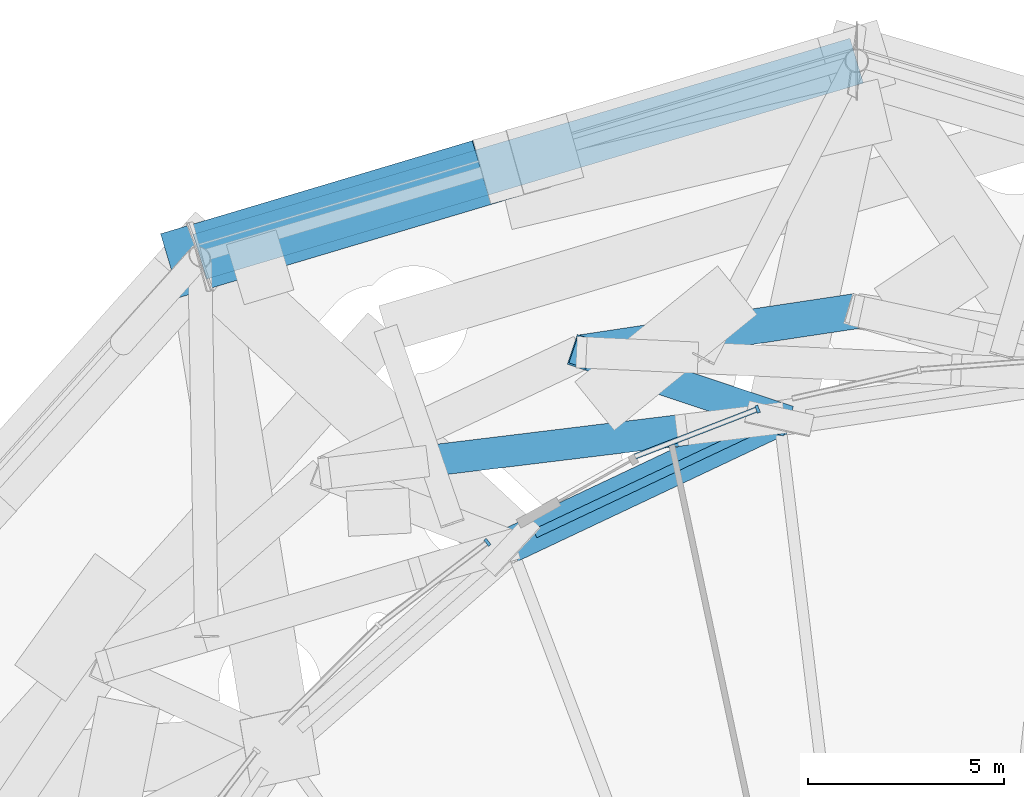
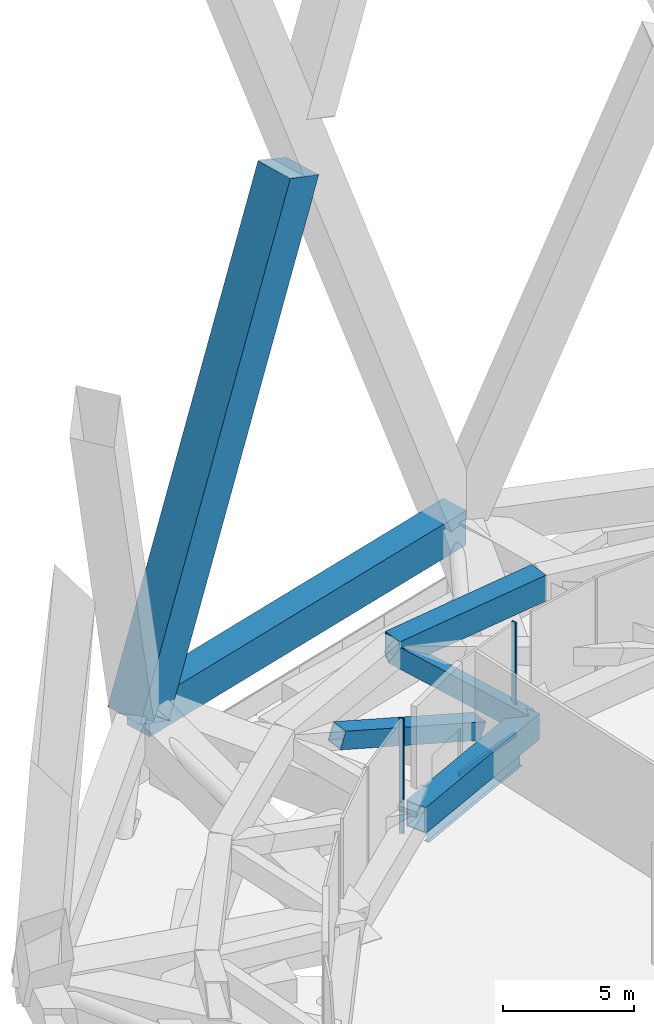
# One storey, part 32 of 51: 5 beams, 5 members, 2 elements without a shape of their own.
"""IFC4 building model written with IfcOpenShell, lengths in metres."""

import ifcopenshell
import ifcopenshell.guid

model = None  # the IFC model being written
_history = None  # IfcOwnerHistory: only IFC2X3 demands one
_inside = {}  # id of a spatial element -> (the spatial element, [elements in it])
_under = {}  # id of a project, library or spatial element -> (it, [spatial elements below it])
_declared = {}  # id of a project -> (the project, [libraries it declares])
_typed = {}  # id of a type object -> (the type object, [elements of that type])
_made_of = {}  # id of a material, layer set ... -> (it, [elements and type objects made of it])


def new_model(schema):
    """Start an empty IFC model of exactly this schema.

    Asked for "IFC4X3", IfcOpenShell would pick the latest addendum, in which some entities
    have other attributes; the version numbers below select the first issue.
    IFC2X3 requires an IfcOwnerHistory on every rooted entity: one is made here for all.
    """
    global model, _history
    if schema == "IFC4X3":
        model = ifcopenshell.file(schema_version=(4, 3, 0, 0))
    else:
        model = ifcopenshell.file(schema=schema)
    _inside.clear()
    _under.clear()
    _declared.clear()
    _typed.clear()
    _made_of.clear()
    _history = None
    if model.schema == "IFC2X3":
        org = make("IfcOrganization", Name="unknown")
        user = make(
            "IfcPersonAndOrganization",
            ThePerson=make("IfcPerson", FamilyName="unknown"),
            TheOrganization=org,
        )
        app = make(
            "IfcApplication",
            ApplicationDeveloper=org,
            Version="unknown",
            ApplicationFullName="unknown",
            ApplicationIdentifier="unknown",
        )
        _history = make(
            "IfcOwnerHistory",
            OwningUser=user,
            OwningApplication=app,
            ChangeAction="ADDED",
            CreationDate=0,
        )
    return model


def make(cls, **values):
    """One entity of the class cls with the attributes given. An attribute that is None is left unset."""
    return model.create_entity(
        cls, **{name: value for name, value in values.items() if value is not None}
    )


def rooted(cls, **values):
    """An entity with a GlobalId (a new one), such as an element, a storey or a relation."""
    return make(cls, GlobalId=ifcopenshell.guid.new(), OwnerHistory=_history, **values)


def si_unit(unit_type, name, prefix=None):
    """IfcSIUnit, for example si_unit("LENGTHUNIT", "METRE", prefix="MILLI")."""
    return make("IfcSIUnit", UnitType=unit_type, Prefix=prefix, Name=name)


def assignment(units):
    """IfcUnitAssignment: the units of a project."""
    return None if units is None else make("IfcUnitAssignment", Units=units)


def point(xyz):
    """IfcCartesianPoint."""
    return None if xyz is None else make("IfcCartesianPoint", Coordinates=xyz)


def direction(xyz):
    """IfcDirection."""
    return None if xyz is None else make("IfcDirection", DirectionRatios=xyz)


def frame(location, z_axis=None, x_axis=None):
    """IfcAxis2Placement3D, a coordinate frame: its origin and axes. An axis left out is left unset."""
    return make(
        "IfcAxis2Placement3D",
        Location=point(location),
        Axis=direction(z_axis),
        RefDirection=direction(x_axis),
    )


def frame_2d(location, x_axis=None):
    """IfcAxis2Placement2D, a coordinate frame in the plane: its origin and x axis."""
    return make(
        "IfcAxis2Placement2D", Location=point(location), RefDirection=direction(x_axis)
    )


def origin():
    """The frame at (0, 0, 0) with its axes left unset."""
    return frame((0.0, 0.0, 0.0))


def origin_2d():
    """The frame at (0, 0) in the plane with its x axis left unset."""
    return frame_2d((0.0, 0.0))


def place(relative_to, where):
    """IfcLocalPlacement: puts the frame where relative to a parent placement (None: the world)."""
    return make(
        "IfcLocalPlacement", PlacementRelTo=relative_to, RelativePlacement=where
    )


def context(
    kind, dimensions, precision=None, world=None, true_north=None, identifier=None
):
    """IfcGeometricRepresentationContext, for example the 3D "Model" context."""
    return make(
        "IfcGeometricRepresentationContext",
        ContextIdentifier=identifier,
        ContextType=kind,
        CoordinateSpaceDimension=dimensions,
        Precision=precision,
        WorldCoordinateSystem=world,
        TrueNorth=true_north,
    )


def subcontext(parent, identifier, kind, view, scale=None):
    """IfcGeometricRepresentationSubContext, for example "Body" below "Model"."""
    return make(
        "IfcGeometricRepresentationSubContext",
        ContextIdentifier=identifier,
        ContextType=kind,
        ParentContext=parent,
        TargetScale=scale,
        TargetView=view,
    )


def project(units=None, contexts=None):
    """IfcProject with its units and contexts."""
    return rooted(
        "IfcProject",
        Name="project",
        RepresentationContexts=contexts,
        UnitsInContext=assignment(units),
    )


def spatial(cls, under=None, at=None, **own):
    """A site, building, storey or space (cls), placed at a placement, below another one or the project."""
    s = rooted(cls, ObjectPlacement=at, **own)
    if under is not None:
        _under.setdefault(under.id(), (under, []))[1].append(s)
    return s


def profile(cls, at=None, kind="AREA", **sizes):
    """A parametric profile (cls). Its sizes go by their IFC names, for example OverallWidth=200.0."""
    return make(cls, ProfileType=kind, Position=at, **sizes)


def rectangle(**sizes):
    """IfcRectangleProfileDef."""
    return profile("IfcRectangleProfileDef", **sizes)


def hollow_rectangle(**sizes):
    """IfcRectangleHollowProfileDef."""
    return profile("IfcRectangleHollowProfileDef", **sizes)


def i_section(**sizes):
    """IfcIShapeProfileDef."""
    return profile("IfcIShapeProfileDef", **sizes)


def extrude(swept, where, along, depth):
    """IfcExtrudedAreaSolid: the profile swept, set in the frame where, extruded along a direction by depth."""
    return make(
        "IfcExtrudedAreaSolid",
        SweptArea=swept,
        Position=where,
        ExtrudedDirection=direction(along),
        Depth=depth,
    )


def shape(context_of_items, identifier, shape_type, items):
    """IfcShapeRepresentation: the items that make up one representation, for example the "Body"."""
    return make(
        "IfcShapeRepresentation",
        ContextOfItems=context_of_items,
        RepresentationIdentifier=identifier,
        RepresentationType=shape_type,
        Items=items,
    )


def material(Name=None, Category=None):
    """IfcMaterial."""
    return make("IfcMaterial", Name=Name, Category=Category)


def layer(
    of_material, thickness, ventilated=None, Name=None, Category=None, Priority=None
):
    """IfcMaterialLayer: one layer of a wall or slab, of a material (None: an air gap)."""
    return make(
        "IfcMaterialLayer",
        Material=of_material,
        LayerThickness=thickness,
        IsVentilated=ventilated,
        Name=Name,
        Category=Category,
        Priority=Priority,
    )


def layer_set(layers, Name=None):
    """IfcMaterialLayerSet."""
    return make("IfcMaterialLayerSet", MaterialLayers=layers, LayerSetName=Name)


def material_profile(
    of_material, cross_section, Name=None, Category=None, Priority=None
):
    """IfcMaterialProfile: a cross section and its material."""
    return make(
        "IfcMaterialProfile",
        Name=Name,
        Material=of_material,
        Profile=cross_section,
        Priority=Priority,
        Category=Category,
    )


def profile_set(profiles, Name=None, composite=None):
    """IfcMaterialProfileSet."""
    return make(
        "IfcMaterialProfileSet",
        Name=Name,
        MaterialProfiles=profiles,
        CompositeProfile=composite,
    )


def made_of(thing, what):
    """Note that an element or type object is made of a material, layer set ...; save() writes the relation."""
    if what is not None:
        _made_of.setdefault(what.id(), (what, []))[1].append(thing)
    return thing


def type_object(cls, material=None, **own):
    """A type object (cls), such as IfcWallType, which elements share."""
    return made_of(rooted(cls, **own), material)


def element(
    cls,
    number,
    at=None,
    inside=None,
    cuts=None,
    type_object=None,
    material=None,
    context=None,
    identifier="Body",
    shape_type=None,
    held_by="IfcProductDefinitionShape",
    body=None,
    shapes=None,
    **own,
):
    """One element of the class cls, such as IfcWall. Its Tag is "e" and its number.

    at: its placement. inside: the storey or other place that contains it. cuts: it is an
    opening in that element (IfcRelVoidsElement). A single representation is given by context,
    identifier, shape_type and body (its items); several are given by shapes. held_by: the class
    of the entity that holds the representations. save() writes the other relations.
    """
    e = rooted(cls, Tag="e%d" % number, ObjectPlacement=at, **own)
    if body is not None:
        shapes = [shape(context, identifier, shape_type, body)]
    if shapes is not None:
        e.Representation = make(held_by, Representations=shapes)
    if inside is not None:
        _inside.setdefault(inside.id(), (inside, []))[1].append(e)
    if cuts is not None:
        rooted(
            "IfcRelVoidsElement", RelatingBuildingElement=cuts, RelatedOpeningElement=e
        )
    if type_object is not None:
        _typed.setdefault(type_object.id(), (type_object, []))[1].append(e)
    return made_of(e, material)


def aggregate(whole, parts):
    """IfcRelAggregates: a whole, such as a stair, and the parts it consists of."""
    return rooted("IfcRelAggregates", RelatingObject=whole, RelatedObjects=parts)


def save(model, path):
    """Write the relations noted so far, then the file.

    IfcRelAggregates (storeys below a building ...), IfcRelContainedInSpatialStructure (elements
    in a storey), IfcRelDefinesByType, IfcRelAssociatesMaterial and IfcRelDeclares: one each for
    every whole, place, type object, material and project.
    """
    for whole, parts in _under.values():
        aggregate(whole, parts)
    for where, things in _inside.values():
        rooted(
            "IfcRelContainedInSpatialStructure",
            RelatedElements=things,
            RelatingStructure=where,
        )
    for kind, things in _typed.values():
        rooted("IfcRelDefinesByType", RelatedObjects=things, RelatingType=kind)
    for what, things in _made_of.values():
        rooted("IfcRelAssociatesMaterial", RelatedObjects=things, RelatingMaterial=what)
    for by, libraries in _declared.values():
        rooted("IfcRelDeclares", RelatingContext=by, RelatedDefinitions=libraries)
    model.write(path)


model = new_model("IFC4")

# Units and contexts
model_context = context("Model", 3, precision=1e-05, world=origin(), true_north=direction((0.0, 1.0)))
body_context = subcontext(model_context, "Body", "Model", "MODEL_VIEW")
ifc_project = project(units=[si_unit("LENGTHUNIT", "METRE"), si_unit("AREAUNIT", "SQUARE_METRE"), si_unit("VOLUMEUNIT", "CUBIC_METRE"), si_unit("PLANEANGLEUNIT", "RADIAN"), si_unit("MASSUNIT", "GRAM", prefix="KILO")], contexts=[model_context])

# Site, building, storey
site_placement = place(None, origin())
site = spatial("IfcSite", under=ifc_project, at=site_placement, CompositionType="ELEMENT")
building_placement = place(site_placement, origin())
building = spatial("IfcBuilding", under=site, at=building_placement, Name="Nagisa Residences", CompositionType="ELEMENT")
storey_placement = place(building_placement, frame((0.0, 0.0, 67.699951171875)))
storey = spatial("IfcBuildingStorey", under=building, at=storey_placement, Name="L16", CompositionType="ELEMENT", Elevation=67.699951171875)

# Beams
ifc_material_1 = material(Name="Steel ASTM A572 Gr 50", Category="steel")
ifc_material_profile_1 = material_profile(ifc_material_1, hollow_rectangle(XDim=0.89990234375, YDim=1.199951171875, WallThickness=0.050048828125, at=origin_2d()), Name="BX 900x1200x50")
ifc_profile_set_1 = profile_set([ifc_material_profile_1], Name="Steel ASTM A572 Gr 50")
beam_type_1 = type_object("IfcBeamType", Name="Belt chord 1 BX 900x1200x50", PredefinedType="BEAM", material=ifc_profile_set_1)
beam_1_placement = place(storey_placement, frame((-1.800048828125, 34.1328125, 4.739990234375), z_axis=(-0.988913697291, -0.14849141157, 0.0), x_axis=(0.14849141157, -0.988913697291, 0.0)))
element("IfcBeam", 1, at=beam_1_placement, inside=storey, type_object=beam_type_1, Name="beam:L16:bt1t07", PredefinedType="BEAM", context=body_context, shape_type="SweptSolid", body=[
    extrude(hollow_rectangle(XDim=0.89990234375, YDim=1.199951171875, WallThickness=0.050048828125, at=origin_2d()), origin(), (0.0, 0.0, 1.0), 7.117431640625),
])
beam_2_placement = place(storey_placement, frame((-3.7763671875, 31.392578125, 0.60009765625), z_axis=(-0.904198348798, -0.427112802467, 0.0), x_axis=(0.427112802467, -0.904198348798, 0.0)))
element("IfcBeam", 2, at=beam_2_placement, inside=storey, type_object=beam_type_1, Name="beam:L16:bt1b08", PredefinedType="BEAM", context=body_context, shape_type="SweptSolid", body=[
    extrude(hollow_rectangle(XDim=0.89990234375, YDim=1.199951171875, WallThickness=0.050048828125, at=origin_2d()), origin(), (0.0, 0.0, 1.0), 7.601806640625),
])
ifc_material_2 = material(Name="Steel ASTM A572 Gr 50", Category="steel")
ifc_material_profile_2 = material_profile(ifc_material_2, hollow_rectangle(XDim=0.800048828125, YDim=0.800048828125, WallThickness=0.044921875, at=origin_2d()), Name="BX 800x800x45")
ifc_profile_set_2 = profile_set([ifc_material_profile_2], Name="Steel ASTM A572 Gr 50")
beam_type_2 = type_object("IfcBeamType", Name="Belt diagonal 1 BX 800x800x45", PredefinedType="BEAM", material=ifc_profile_set_2)
beam_3_placement = place(storey_placement, frame((-3.7763671875, 31.392578125, 0.60009765625), z_axis=(-0.749665169187, 0.249285813433, 0.613073174531), x_axis=(-0.315541226611, -0.948911868568, 0.0)))
element("IfcBeam", 3, at=beam_3_placement, inside=storey, type_object=beam_type_2, Name="beam:L16:bt1da08", PredefinedType="BEAM", context=body_context, shape_type="SweptSolid", body=[
    extrude(hollow_rectangle(XDim=0.800048828125, YDim=0.800048828125, WallThickness=0.044921875, at=origin_2d()), origin(), (0.0, 0.0, 1.0), 6.752685546875),
])
beam_4_placement = place(storey_placement, frame((-6.274658203125, 31.08837890625, 1.489990234375), z_axis=(-0.935865926778, -0.113956697209, 0.333419912809), x_axis=(0.120873255039, -0.992667948619, 0.0)))
element("IfcBeam", 4, at=beam_4_placement, inside=storey, type_object=beam_type_2, Name="beam:L16:bt1db08", PredefinedType="BEAM", context=body_context, shape_type="SweptSolid", body=[
    extrude(hollow_rectangle(XDim=0.800048828125, YDim=0.800048828125, WallThickness=0.044921875, at=origin_2d()), origin(), (0.0, 0.0, 1.0), 7.078369140625),
])

# Curtain wall, member
ifc_material_3 = material(Name="Aluminium curtain wall system", Category="aluminium")
ifc_layer = layer(ifc_material_3, 0.159912109375)
ifc_layer_set = layer_set([ifc_layer], Name="CW2 CURTAIN WALL")
curtain_wall_type = type_object("IfcCurtainWallType", Name="CW2 CURTAIN WALL", PredefinedType="NOTDEFINED", material=ifc_layer_set)
curtain_wall_1_placement = place(storey_placement, origin())
curtain_wall_1 = element("IfcCurtainWall", 5, at=curtain_wall_1_placement, inside=storey, type_object=curtain_wall_type, Name="cw:CW2:L16:14", PredefinedType="NOTDEFINED")
ifc_material_4 = material(Name="Aluminium", Category="aluminium")
ifc_material_profile_3 = material_profile(ifc_material_4, rectangle(XDim=0.199951171875, YDim=0.080078125, at=origin_2d()), Name="CW2 MULLION 200x80")
ifc_profile_set_3 = profile_set([ifc_material_profile_3], Name="Aluminium")
member_type_1 = type_object("IfcMemberType", Name="CW2 MULLION 200x80", PredefinedType="MULLION", material=ifc_profile_set_3)
member_1_placement = place(storey_placement, frame((-4.333984375, 31.624267578125, 0.0), z_axis=(0.0, 0.0, 1.0), x_axis=(0.360327770268, -0.932825759707, 0.0)))
member_1 = element("IfcMember", 6, at=member_1_placement, type_object=member_type_1, Name="CW2 mullion", PredefinedType="MULLION", context=body_context, shape_type="SweptSolid", body=[
    extrude(rectangle(XDim=0.199951171875, YDim=0.080078125, at=origin_2d()), origin(), (0.0, 0.0, 1.0), 5.340087890625),
])

curtain_wall_2_placement = place(storey_placement, origin())
curtain_wall_2 = element("IfcCurtainWall", 7, at=curtain_wall_2_placement, inside=storey, type_object=curtain_wall_type, Name="cw:CW2:L16:16", PredefinedType="NOTDEFINED")
member_2_placement = place(storey_placement, frame((-11.24169921875, 28.218505859375, 0.0), z_axis=(0.0, 0.0, 1.0), x_axis=(0.605255421737, -0.79603132756, 0.0)))
member_2 = element("IfcMember", 8, at=member_2_placement, type_object=member_type_1, Name="CW2 mullion", PredefinedType="MULLION", context=body_context, shape_type="SweptSolid", body=[
    extrude(rectangle(XDim=0.199951171875, YDim=0.080078125, at=origin_2d()), origin(), (0.0, 0.0, 1.0), 5.340087890625),
])
aggregate(curtain_wall_2, [member_2])

# Member
ifc_material_5 = material(Name="Aluminium", Category="aluminium")
ifc_material_profile_4 = material_profile(ifc_material_5, rectangle(XDim=0.139892578125, YDim=0.179931640625, at=origin_2d()), Name="CW2 TRANSOM 140x180")
ifc_profile_set_4 = profile_set([ifc_material_profile_4], Name="Aluminium")
member_type_2 = type_object("IfcMemberType", Name="CW2 TRANSOM 140x180", PredefinedType="USERDEFINED", material=ifc_profile_set_4)
member_3_placement = place(storey_placement, frame((-4.296630859375, 31.638671875, 0.090087890625), z_axis=(-0.932832137481, -0.36031125889, 0.0), x_axis=(0.36031125889, -0.932832137481, 0.0)))
member_3 = element("IfcMember", 9, at=member_3_placement, type_object=member_type_2, Name="CW2 transom", ObjectType="TRANSOM", PredefinedType="USERDEFINED", context=body_context, shape_type="SweptSolid", body=[
    extrude(rectangle(XDim=0.139892578125, YDim=0.179931640625, at=origin_2d()), origin(), (0.0, 0.0, 1.0), 3.40087890625),
])

aggregate(curtain_wall_1, [member_1, member_3])

# Members
ifc_material_6 = material(Name="Concrete C80", Category="concrete")
ifc_material_profile_5 = material_profile(ifc_material_6, rectangle(XDim=1.699951171875, YDim=1.699951171875, at=origin_2d()), Name="C80 1700x1700")
ifc_profile_set_5 = profile_set([ifc_material_profile_5], Name="Concrete C80")
member_type_3 = type_object("IfcMemberType", Name="Cage diagonal 2 C80 1700x1700", PredefinedType="BRACE", material=ifc_profile_set_5)
member_4_placement = place(storey_placement, frame((-18.597412109375, 35.52001953125, 3.699951171875), z_axis=(0.351201722153, 0.104810637429, 0.930415004521), x_axis=(-0.285971147664, 0.958238228575, 0.0)))
element("IfcMember", 10, at=member_4_placement, inside=storey, type_object=member_type_3, Name="mem:L16:cg2d008a", PredefinedType="BRACE", context=body_context, shape_type="SweptSolid", body=[
    extrude(rectangle(XDim=1.699951171875, YDim=1.699951171875, at=origin_2d()), origin(), (0.0, 0.0, 1.0), 22.687744140625),
])
ifc_material_7 = material(Name="Concrete C80", Category="concrete")
ifc_material_profile_6 = material_profile(ifc_material_7, rectangle(XDim=1.199951171875, YDim=1.60009765625, at=origin_2d()), Name="C80 1200x1600")
ifc_profile_set_6 = profile_set([ifc_material_profile_6], Name="Concrete C80")
member_type_4 = type_object("IfcMemberType", Name="Cage ring 2 C80 1200x1600", PredefinedType="CHORD", material=ifc_profile_set_6)
member_5_placement = place(storey_placement, frame((-1.800048828125, 40.53271484375, 3.699951171875), z_axis=(-0.958241572498, -0.285959942538, 0.0), x_axis=(0.285959942538, -0.958241572498, 0.0)))
element("IfcMember", 11, at=member_5_placement, inside=storey, type_object=member_type_4, Name="beam:L16:cg2r004", PredefinedType="CHORD", context=body_context, shape_type="SweptSolid", body=[
    extrude(rectangle(XDim=1.199951171875, YDim=1.60009765625, at=origin_2d()), origin(), (0.0, 0.0, 1.0), 17.529296875),
])

# Beam
ifc_material_8 = material(Name="Steel ASTM A572 Gr 50", Category="steel")
ifc_material_profile_7 = material_profile(ifc_material_8, i_section(OverallWidth=0.22900390625, OverallDepth=0.612060546875, WebThickness=0.011962890625, FlangeThickness=0.01953125, at=origin_2d()), Name="W610x125")
ifc_profile_set_7 = profile_set([ifc_material_profile_7], Name="Steel ASTM A572 Gr 50")
beam_type_3 = type_object("IfcBeamType", Name="Perimeter ring beam W610x125", PredefinedType="BEAM", material=ifc_profile_set_7)
beam_5_placement = place(storey_placement, frame((-4.39794921875, 31.098876953125, -0.656005859375), z_axis=(-0.904208275867, -0.427091786216, 0.0), x_axis=(0.427091786216, -0.904208275867, 0.0)))
element("IfcBeam", 12, at=beam_5_placement, inside=storey, type_object=beam_type_3, Name="beam:L16:pb08", PredefinedType="BEAM", context=body_context, shape_type="SweptSolid", body=[
    extrude(i_section(OverallWidth=0.22900390625, OverallDepth=0.612060546875, WebThickness=0.011962890625, FlangeThickness=0.01953125, at=origin_2d()), origin(), (0.0, 0.0, 1.0), 6.227294921875),
])

save(model, "model.ifc")
